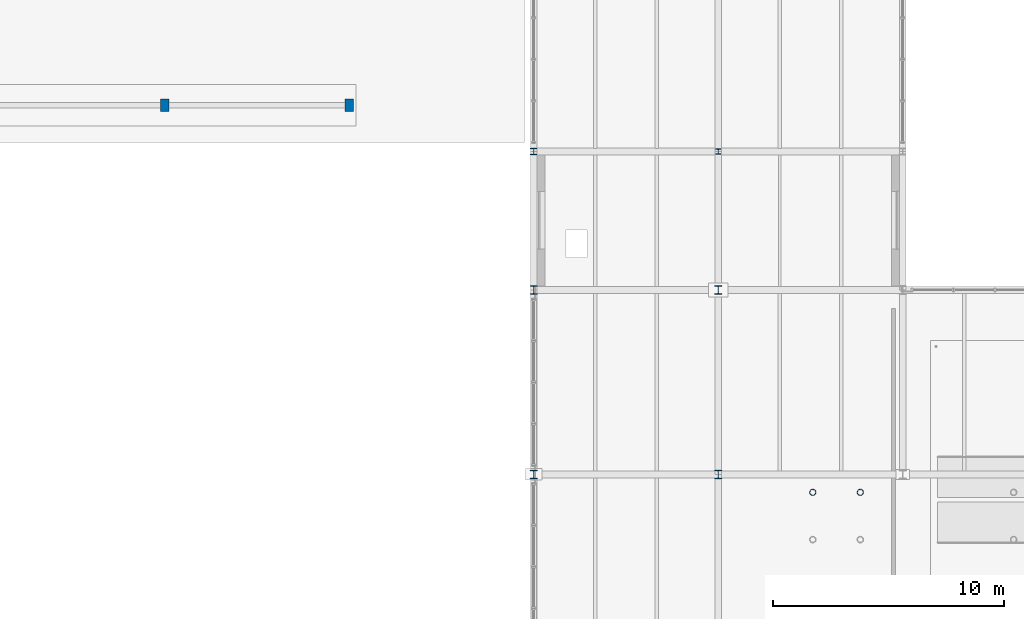
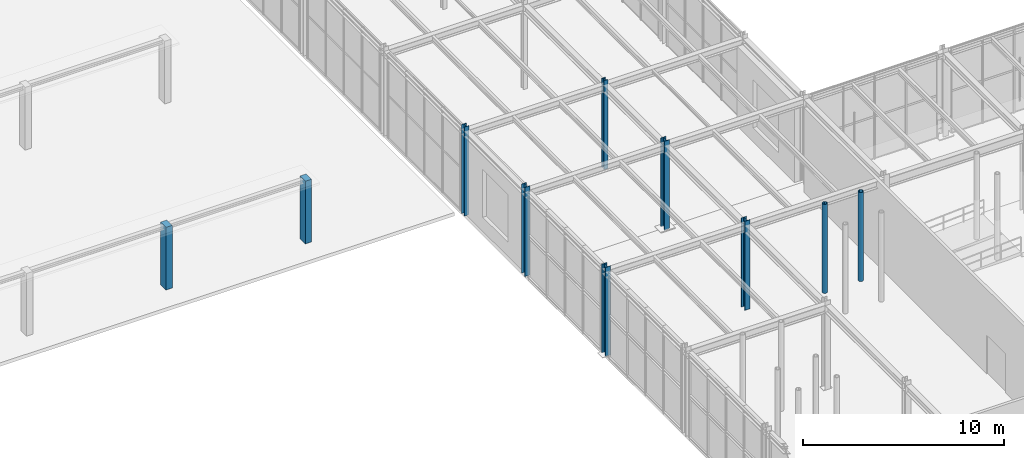
# One storey, part 6 of 129: 10 columns.
"""IFC4 building model written with IfcOpenShell, lengths in metres."""

from ifc_helpers import new_model, si_unit, direction, frame, origin, origin_2d, place, context, subcontext, project, spatial, rectangle, hollow_circle, i_section, extrude, material, material_profile, profile_set, type_object, element, save


model = new_model("IFC4")

# Units and contexts
model_context = context("Model", 3, precision=1e-05, world=origin(), true_north=direction((0.0, 1.0)))
body_context = subcontext(model_context, "Body", "Model", "MODEL_VIEW")
ifc_project = project(units=[si_unit("LENGTHUNIT", "METRE"), si_unit("AREAUNIT", "SQUARE_METRE"), si_unit("VOLUMEUNIT", "CUBIC_METRE"), si_unit("PLANEANGLEUNIT", "RADIAN"), si_unit("MASSUNIT", "GRAM", prefix="KILO")], contexts=[model_context])

# Site, building, storey
site_placement = place(None, origin())
site = spatial("IfcSite", under=ifc_project, at=site_placement, CompositionType="ELEMENT")
building_placement = place(site_placement, origin())
building = spatial("IfcBuilding", under=site, at=building_placement, Name="Sundkrona Museum", CompositionType="ELEMENT")
storey_placement = place(building_placement, origin())
storey = spatial("IfcBuildingStorey", under=building, at=storey_placement, Name="L00", CompositionType="ELEMENT", Elevation=0.0)

# Columns
ifc_material_1 = material(Name="Steel S355J2", Category="steel")
ifc_material_profile_1 = material_profile(ifc_material_1, hollow_circle(Radius=0.136474609375, WallThickness=0.012451171875, at=origin_2d()), Name="CHS 273.0x12.5")
ifc_profile_set_1 = profile_set([ifc_material_profile_1], Name="Steel S355J2")
column_type_1 = type_object("IfcColumnType", Name="C-CHS273", PredefinedType="COLUMN", material=ifc_profile_set_1)
for number, where, z_axis, x_axis, name in (
    (1, (92.10009765625, 31.22509765625, 0.0), (0.0, 0.0, 1.0), (1.0, 0.0, 0.0), "L00 Feature Stair FS-3 Column S1-2"),
    (2, (94.159912109375, 31.22509765625, 0.0), (0.0, 0.0, 1.0), (1.0, 0.0, 0.0), "L00 Feature Stair FS-3 Column S2-2"),
):
    element("IfcColumn", number, at=place(storey_placement, frame(where, z_axis=z_axis, x_axis=x_axis)), inside=storey, type_object=column_type_1, Name=name, PredefinedType="COLUMN", context=body_context, shape_type="SweptSolid", body=[
        extrude(hollow_circle(Radius=0.136474609375, WallThickness=0.012451171875, at=origin_2d()), origin(), (0.0, 0.0, 1.0), 5.39990234375),
    ])
ifc_material_profile_2 = material_profile(ifc_material_1, i_section(OverallWidth=0.280029296875, OverallDepth=0.280029296875, WebThickness=0.010498046875, FlangeThickness=0.01806640625, FilletRadius=0.02392578125, at=origin_2d()), Name="HEB 280")
ifc_profile_set_2 = profile_set([ifc_material_profile_2], Name="Steel S355J2")
column_type_2 = type_object("IfcColumnType", Name="C-HEB280", PredefinedType="COLUMN", material=ifc_profile_set_2)
column_1_placement = place(storey_placement, frame((80.0, 46.0, 0.0), z_axis=(0.0, 0.0, 1.0), x_axis=(1.0, 0.0, 0.0)))
element("IfcColumn", 3, at=column_1_placement, inside=storey, type_object=column_type_2, Name="L00 Column G/11", PredefinedType="COLUMN", context=body_context, shape_type="SweptSolid", body=[
    extrude(i_section(OverallWidth=0.280029296875, OverallDepth=0.280029296875, WebThickness=0.010498046875, FlangeThickness=0.01806640625, FilletRadius=0.02392578125, at=origin_2d()), origin(), (0.0, 0.0, 1.0), 5.39990234375),
])
ifc_material_profile_3 = material_profile(ifc_material_1, i_section(OverallWidth=0.300048828125, OverallDepth=0.360107421875, WebThickness=0.012451171875, FlangeThickness=0.0224609375, FilletRadius=0.027099609375, at=origin_2d()), Name="HEB 360")
ifc_profile_set_3 = profile_set([ifc_material_profile_3], Name="Steel S355J2")
column_type_3 = type_object("IfcColumnType", Name="C-HEB360", PredefinedType="COLUMN", material=ifc_profile_set_3)
for number, where, z_axis, x_axis, name in (
    (4, (80.0, 32.0, 0.0), (0.0, 0.0, 1.0), (1.0, 0.0, 0.0), "L00 Column E/11"),
    (5, (80.0, 40.0, 0.0), (0.0, 0.0, 1.0), (1.0, 0.0, 0.0), "L00 Column F/11"),
    (6, (88.0, 32.0, 0.0), (0.0, 0.0, 1.0), (1.0, 0.0, 0.0), "L00 Column E/12"),
    (7, (88.0, 40.0, 0.0), (0.0, 0.0, 1.0), (1.0, 0.0, 0.0), "L00 Column F/12"),
):
    element("IfcColumn", number, at=place(storey_placement, frame(where, z_axis=z_axis, x_axis=x_axis)), inside=storey, type_object=column_type_3, Name=name, PredefinedType="COLUMN", context=body_context, shape_type="SweptSolid", body=[
        extrude(i_section(OverallWidth=0.300048828125, OverallDepth=0.360107421875, WebThickness=0.012451171875, FlangeThickness=0.0224609375, FilletRadius=0.027099609375, at=origin_2d()), origin(), (0.0, 0.0, 1.0), 5.39990234375),
    ])
ifc_material_profile_4 = material_profile(ifc_material_1, i_section(OverallWidth=0.22607421875, OverallDepth=0.239990234375, WebThickness=0.015380859375, FlangeThickness=0.02587890625, FilletRadius=0.01806640625, at=origin_2d()), Name="HEM 220")
ifc_profile_set_4 = profile_set([ifc_material_profile_4], Name="Steel S355J2")
column_type_4 = type_object("IfcColumnType", Name="C-HEM220", PredefinedType="COLUMN", material=ifc_profile_set_4)
column_2_placement = place(storey_placement, frame((88.0, 46.0, 0.0), z_axis=(0.0, 0.0, 1.0), x_axis=(1.0, 0.0, 0.0)))
element("IfcColumn", 8, at=column_2_placement, inside=storey, type_object=column_type_4, Name="L00 Column G/12", PredefinedType="COLUMN", context=body_context, shape_type="SweptSolid", body=[
    extrude(i_section(OverallWidth=0.22607421875, OverallDepth=0.239990234375, WebThickness=0.015380859375, FlangeThickness=0.02587890625, FilletRadius=0.01806640625, at=origin_2d()), origin(), (0.0, 0.0, 1.0), 5.39990234375),
])
ifc_material_2 = material(Name="Concrete C40/50", Category="concrete")
ifc_material_profile_5 = material_profile(ifc_material_2, rectangle(XDim=0.360107421875, YDim=0.5400390625, at=origin_2d()), Name="RC 540x360")
ifc_profile_set_5 = profile_set([ifc_material_profile_5], Name="Concrete C40/50")
column_type_5 = type_object("IfcColumnType", Name="PIL-540", PredefinedType="PILASTER", material=ifc_profile_set_5)
for number, where, z_axis, x_axis, name in (
    (9, (64.0, 48.0, 0.0), (0.0, 0.0, 1.0), (1.0, 0.0, 0.0), "Courtyard Cloister Pilaster PF-CL-03"),
    (10, (72.0, 48.0, 0.0), (0.0, 0.0, 1.0), (1.0, 0.0, 0.0), "Courtyard Cloister Pilaster PF-CL-04"),
):
    element("IfcColumn", number, at=place(storey_placement, frame(where, z_axis=z_axis, x_axis=x_axis)), inside=storey, type_object=column_type_5, Name=name, PredefinedType="PILASTER", context=body_context, shape_type="SweptSolid", body=[
        extrude(rectangle(XDim=0.360107421875, YDim=0.5400390625, at=origin_2d()), origin(), (0.0, 0.0, 1.0), 3.800048828125),
    ])

save(model, "model.ifc")
